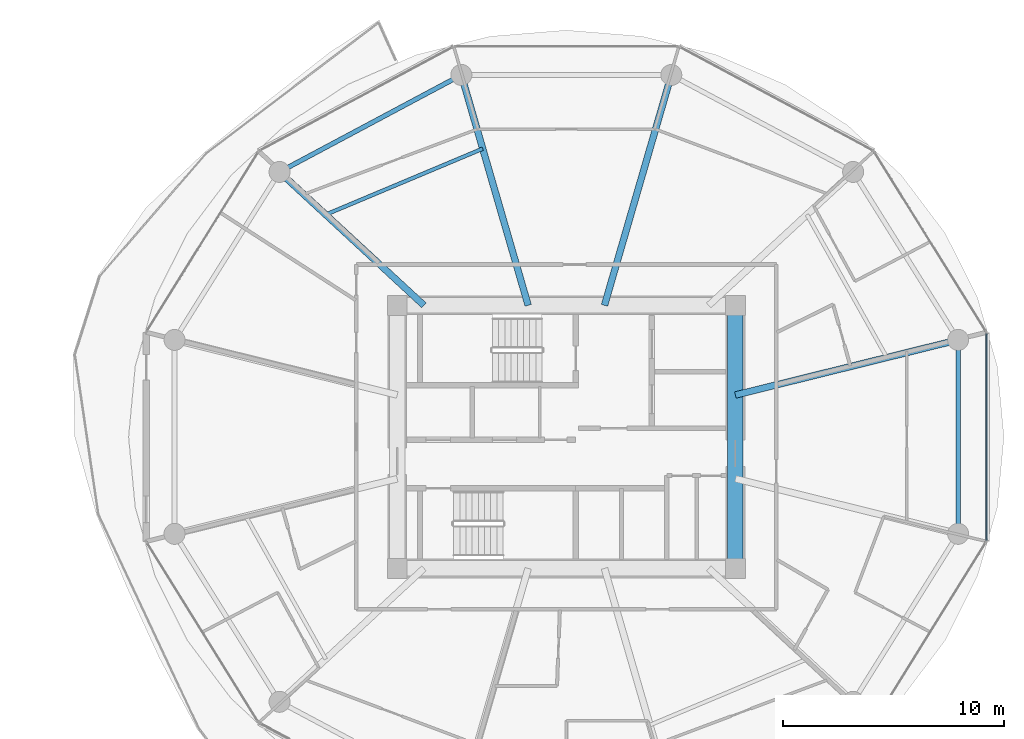
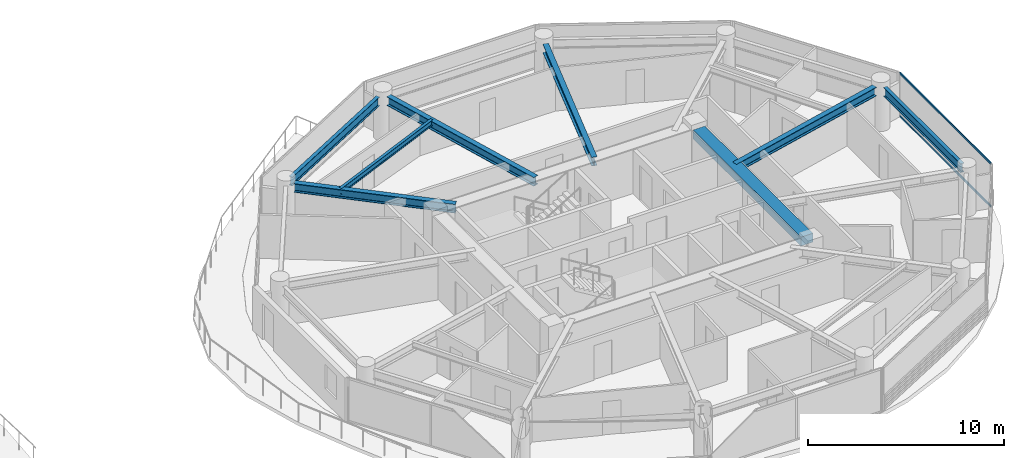
# One storey, part 12 of 26: 8 beams, 2 members, 1 element without a shape of its own.
"""IFC4 building model written with IfcOpenShell, lengths in metres."""

from ifc_helpers import new_model, si_unit, direction, frame, origin, origin_2d, place, context, subcontext, project, spatial, rectangle, i_section, extrude, source, transform, mapped, material, layer, layer_set, material_profile, profile_set, type_object, type_shapes, element, aggregate, save


model = new_model("IFC4")

# Units and contexts
model_context = context("Model", 3, precision=1e-05, world=origin(), true_north=direction((0.0, 1.0)))
body_context = subcontext(model_context, "Body", "Model", "MODEL_VIEW")
ifc_project = project(units=[si_unit("LENGTHUNIT", "METRE"), si_unit("AREAUNIT", "SQUARE_METRE"), si_unit("VOLUMEUNIT", "CUBIC_METRE"), si_unit("PLANEANGLEUNIT", "RADIAN"), si_unit("MASSUNIT", "GRAM", prefix="KILO")], contexts=[model_context])

# Site, building, storey
site_placement = place(None, origin())
site = spatial("IfcSite", under=ifc_project, at=site_placement, CompositionType="ELEMENT")
building_placement = place(site_placement, origin())
building = spatial("IfcBuilding", under=site, at=building_placement, Name="Norrkilde Senior Care Towers", CompositionType="ELEMENT")
storey_placement = place(building_placement, frame((0.0, 0.0, 70.39990234375)))
storey = spatial("IfcBuildingStorey", under=building, at=storey_placement, Name="L21", CompositionType="ELEMENT", Elevation=70.39990234375)

# Beams
ifc_material_1 = material(Name="Concrete C60/75", Category="concrete")
ifc_material_profile_1 = material_profile(ifc_material_1, rectangle(XDim=0.699951171875, YDim=0.550048828125, at=origin_2d()), Name="RC BM 700x550")
ifc_profile_set_1 = profile_set([ifc_material_profile_1], Name="Concrete C60/75")
beam_type_1 = type_object("IfcBeamType", Name="Core Portal Coupling Beam 700x550", PredefinedType="USERDEFINED", material=ifc_profile_set_1)
shared_shape_1 = source(origin(), body_context, "Body", "SweptSolid", [
    extrude(rectangle(XDim=0.699951171875, YDim=0.550048828125, at=origin_2d()), origin(), (0.0, 0.0, 1.0), 11.0400390625),
])
type_shapes(beam_type_1, [shared_shape_1])
beam_1_placement = place(storey_placement, frame((35.64990234375, -5.52001953125, 2.455078125), z_axis=(0.0, 1.0, 0.0), x_axis=(-1.0, 0.0, 0.0)))
element("IfcBeam", 1, at=beam_1_placement, inside=storey, type_object=beam_type_1, Name="L21 Core E E Coupling Girder", ObjectType="GIRDER", PredefinedType="USERDEFINED", context=body_context, shape_type="MappedRepresentation", body=[
    mapped(shared_shape_1, transform((0.0, 0.0, 0.0), x_axis=(1.0, 0.0, 0.0), y_axis=(0.0, 1.0, 0.0), z_axis=(0.0, 0.0, 1.0), scale=1.0)),
])
ifc_material_2 = material(Name="Steel S355", Category="steel")
ifc_material_profile_2 = material_profile(ifc_material_2, i_section(OverallWidth=0.300048828125, OverallDepth=0.550048828125, WebThickness=0.014892578125, FlangeThickness=0.029052734375, FilletRadius=0.027099609375, at=origin_2d()), Name="HEB 550")
ifc_profile_set_2 = profile_set([ifc_material_profile_2], Name="Steel S355")
beam_type_2 = type_object("IfcBeamType", Name="Radial Floor Beam Z1 HEB550", PredefinedType="BEAM", material=ifc_profile_set_2)
shared_shape_2 = source(origin(), body_context, "Body", "SweptSolid", [
    extrude(i_section(OverallWidth=0.300048828125, OverallDepth=0.550048828125, WebThickness=0.014892578125, FlangeThickness=0.029052734375, FilletRadius=0.027099609375, at=origin_2d()), origin(), (0.0, 0.0, 1.0), 9.94384765625),
])
beam_2_placement = place(storey_placement, frame((35.64990234375, 1.893310546875, 2.455078125), z_axis=(0.970707425182, 0.240264634718, 0.0), x_axis=(-0.240264634718, 0.970707425182, 0.0)))
element("IfcBeam", 2, at=beam_2_placement, inside=storey, type_object=beam_type_2, Name="L21 Drum E Radial Floor Beam 01", PredefinedType="BEAM", context=body_context, shape_type="MappedRepresentation", body=[
    mapped(shared_shape_2, transform((0.0, 0.0, 0.0), x_axis=(1.0, 0.0, 0.0), y_axis=(0.0, 1.0, 0.0), z_axis=(0.0, 0.0, 1.0), scale=1.0)),
])
ifc_material_profile_3 = material_profile(ifc_material_2, i_section(OverallWidth=0.2099609375, OverallDepth=0.550048828125, WebThickness=0.010986328125, FlangeThickness=0.01708984375, FilletRadius=0.02392578125, at=origin_2d()), Name="IPE 550")
ifc_profile_set_3 = profile_set([ifc_material_profile_3], Name="Steel S355")
beam_type_3 = type_object("IfcBeamType", Name="Perimeter Ring Spandrel Z1 IPE550", PredefinedType="SPANDREL", material=ifc_profile_set_3)
shared_shape_3 = source(origin(), body_context, "Body", "SweptSolid", [
    extrude(i_section(OverallWidth=0.2099609375, OverallDepth=0.550048828125, WebThickness=0.010986328125, FlangeThickness=0.01708984375, FilletRadius=0.02392578125, at=origin_2d()), origin(), (0.0, 0.0, 1.0), 8.452880859375),
])
beam_3_placement = place(storey_placement, frame((22.866943359375, 16.167724609375, 2.455078125), z_axis=(-0.882368931134, -0.470558252898, 0.0), x_axis=(0.470558252898, -0.882368931134, 0.0)))
element("IfcBeam", 3, at=beam_3_placement, inside=storey, type_object=beam_type_3, Name="L21 Drum E Perimeter Spandrel 04", PredefinedType="SPANDREL", context=body_context, shape_type="MappedRepresentation", body=[
    mapped(shared_shape_3, transform((0.0, 0.0, 0.0), x_axis=(1.0, 0.0, 0.0), y_axis=(0.0, 1.0, 0.0), z_axis=(0.0, 0.0, 1.0), scale=1.0)),
])
shared_shape_4 = source(origin(), body_context, "Body", "SweptSolid", [
    extrude(i_section(OverallWidth=0.300048828125, OverallDepth=0.550048828125, WebThickness=0.014892578125, FlangeThickness=0.029052734375, FilletRadius=0.027099609375, at=origin_2d()), origin(), (0.0, 0.0, 1.0), 8.459716796875),
])
beam_4_placement = place(storey_placement, frame((21.55859375, 5.949951171875, 2.455078125), z_axis=(-0.734573269108, 0.678529374686, 0.0), x_axis=(-0.678529374686, -0.734573269108, 0.0)))
element("IfcBeam", 4, at=beam_4_placement, inside=storey, type_object=beam_type_2, Name="L21 Drum E Radial Floor Beam 05", PredefinedType="BEAM", context=body_context, shape_type="MappedRepresentation", body=[
    mapped(shared_shape_4, transform((0.0, 0.0, 0.0), x_axis=(1.0, 0.0, 0.0), y_axis=(0.0, 1.0, 0.0), z_axis=(0.0, 0.0, 1.0), scale=1.0)),
])
shared_shape_5 = source(origin(), body_context, "Body", "SweptSolid", [
    extrude(i_section(OverallWidth=0.300048828125, OverallDepth=0.550048828125, WebThickness=0.014892578125, FlangeThickness=0.029052734375, FilletRadius=0.027099609375, at=origin_2d()), origin(), (0.0, 0.0, 1.0), 10.4169921875),
])
type_shapes(beam_type_2, [shared_shape_2, shared_shape_4, shared_shape_5])
for number, where, z_axis, x_axis, name in (
    (5, (29.72607421875, 5.949951171875, 2.455078125), (0.278591250785, 0.960409764104, 0.0), (-0.960409764104, 0.278591250785, 0.0), "L21 Drum E Radial Floor Beam 03"),
    (6, (26.27392578125, 5.949951171875, 2.455078125), (-0.278591250785, 0.960409764104, 0.0), (-0.960409764104, -0.278591250785, 0.0), "L21 Drum E Radial Floor Beam 04"),
):
    element("IfcBeam", number, at=place(storey_placement, frame(where, z_axis=z_axis, x_axis=x_axis)), inside=storey, type_object=beam_type_2, Name=name, PredefinedType="BEAM", context=body_context, shape_type="MappedRepresentation", body=[
        mapped(shared_shape_5, transform((0.0, 0.0, 0.0), x_axis=(1.0, 0.0, 0.0), y_axis=(0.0, 1.0, 0.0), z_axis=(0.0, 0.0, 1.0), scale=1.0)),
    ])
shared_shape_6 = source(origin(), body_context, "Body", "SweptSolid", [
    extrude(i_section(OverallWidth=0.2099609375, OverallDepth=0.550048828125, WebThickness=0.010986328125, FlangeThickness=0.01708984375, FilletRadius=0.02392578125, at=origin_2d()), origin(), (0.0, 0.0, 1.0), 7.90380859375),
])
type_shapes(beam_type_3, [shared_shape_3, shared_shape_6])
beam_5_placement = place(storey_placement, frame((45.724853515625, -3.951904296875, 2.455078125), z_axis=(0.0, 1.0, 0.0), x_axis=(-1.0, 0.0, 0.0)))
element("IfcBeam", 7, at=beam_5_placement, inside=storey, type_object=beam_type_3, Name="L21 Drum E Perimeter Spandrel 12", PredefinedType="SPANDREL", context=body_context, shape_type="MappedRepresentation", body=[
    mapped(shared_shape_6, transform((0.0, 0.0, 0.0), x_axis=(1.0, 0.0, 0.0), y_axis=(0.0, 1.0, 0.0), z_axis=(0.0, 0.0, 1.0), scale=1.0)),
])
ifc_material_profile_4 = material_profile(ifc_material_2, i_section(OverallWidth=0.169921875, OverallDepth=0.360107421875, WebThickness=0.008056640625, FlangeThickness=0.0126953125, FilletRadius=0.01806640625, at=origin_2d()), Name="IPE 360")
ifc_profile_set_4 = profile_set([ifc_material_profile_4], Name="Steel S355")
beam_type_4 = type_object("IfcBeamType", Name="Secondary Floor Joist IPE360", PredefinedType="JOIST", material=ifc_profile_set_4)
shared_shape_7 = source(origin(), body_context, "Body", "SweptSolid", [
    extrude(i_section(OverallWidth=0.169921875, OverallDepth=0.360107421875, WebThickness=0.008056640625, FlangeThickness=0.0126953125, FilletRadius=0.01806640625, at=origin_2d()), origin(), (0.0, 0.0, 1.0), 7.703857421875),
])
type_shapes(beam_type_4, [shared_shape_7])
beam_6_placement = place(storey_placement, frame((24.21826171875, 13.037353515625, 2.550048828125), z_axis=(-0.921982784465, -0.387230868023, 0.0), x_axis=(0.387230868023, -0.921982784465, 0.0)))
element("IfcBeam", 8, at=beam_6_placement, inside=storey, type_object=beam_type_4, Name="L21 Drum E Secondary Floor Joist 2", PredefinedType="JOIST", context=body_context, shape_type="MappedRepresentation", body=[
    mapped(shared_shape_7, transform((0.0, 0.0, 0.0), x_axis=(1.0, 0.0, 0.0), y_axis=(0.0, 1.0, 0.0), z_axis=(0.0, 0.0, 1.0), scale=1.0)),
])

# Curtain wall, members
ifc_material_3 = material(Name="Triple Low-E Insulated Glazing", Category="glass")
ifc_layer = layer(ifc_material_3, 0.199951171875)
ifc_layer_set = layer_set([ifc_layer], Name="Triple Low-E Insulated Glazing")
curtain_wall_type = type_object("IfcCurtainWallType", Name="CW2 Zone 1 Memory Care Curtain Wall", PredefinedType="NOTDEFINED", material=ifc_layer_set)
curtain_wall_placement = place(storey_placement, origin())
curtain_wall = element("IfcCurtainWall", 9, at=curtain_wall_placement, inside=storey, type_object=curtain_wall_type, Name="L21 Drum E Curtain Wall 11", PredefinedType="NOTDEFINED")
ifc_material_4 = material(Name="Anodised Aluminium", Category="aluminium")
ifc_material_profile_5 = material_profile(ifc_material_4, rectangle(XDim=0.06005859375, YDim=0.1201171875, at=origin_2d()), Name="ALU TRAN 60x120")
ifc_profile_set_5 = profile_set([ifc_material_profile_5], Name="Anodised Aluminium")
member_type = type_object("IfcMemberType", Name="Curtain Wall Transom Typical 60x120", PredefinedType="USERDEFINED", material=ifc_profile_set_5)
shared_shape_8 = source(origin(), body_context, "Body", "SweptSolid", [
    extrude(rectangle(XDim=0.06005859375, YDim=0.1201171875, at=origin_2d()), origin(), (0.0, 0.0, 1.0), 9.33251953125),
])
type_shapes(member_type, [shared_shape_8])
member_1_placement = place(storey_placement, frame((47.009521484375, 4.666259765625, 0.030029296875), z_axis=(0.0, -1.0, 0.0), x_axis=(1.0, 0.0, 0.0)))
member_1 = element("IfcMember", 10, at=member_1_placement, type_object=member_type, Name="CW-2 transom 1.1", ObjectType="TRANSOM", PredefinedType="USERDEFINED", context=body_context, shape_type="MappedRepresentation", body=[
    mapped(shared_shape_8, transform((0.0, 0.0, 0.0), x_axis=(1.0, 0.0, 0.0), y_axis=(0.0, 1.0, 0.0), z_axis=(0.0, 0.0, 1.0), scale=1.0)),
])
member_2_placement = place(storey_placement, frame((47.009521484375, 4.666259765625, 2.7001953125), z_axis=(0.0, -1.0, 0.0), x_axis=(1.0, 0.0, 0.0)))
member_2 = element("IfcMember", 11, at=member_2_placement, type_object=member_type, Name="CW-2 transom 1.2", ObjectType="TRANSOM", PredefinedType="USERDEFINED", context=body_context, shape_type="MappedRepresentation", body=[
    mapped(shared_shape_8, transform((0.0, 0.0, 0.0), x_axis=(1.0, 0.0, 0.0), y_axis=(0.0, 1.0, 0.0), z_axis=(0.0, 0.0, 1.0), scale=1.0)),
])
aggregate(curtain_wall, [member_1, member_2])

save(model, "model.ifc")
